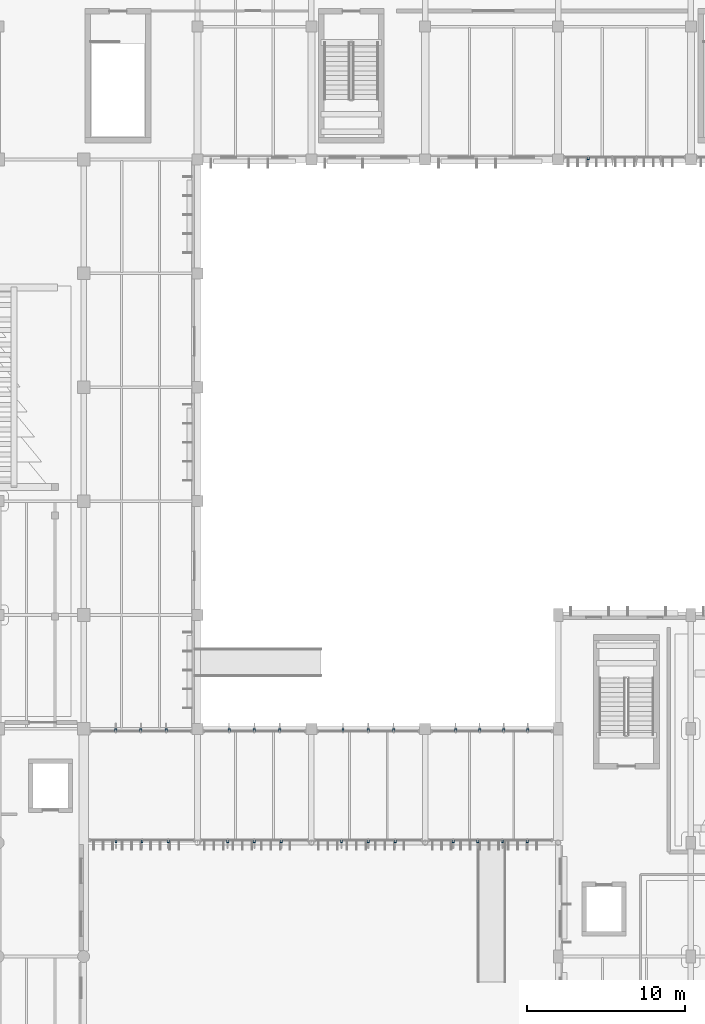
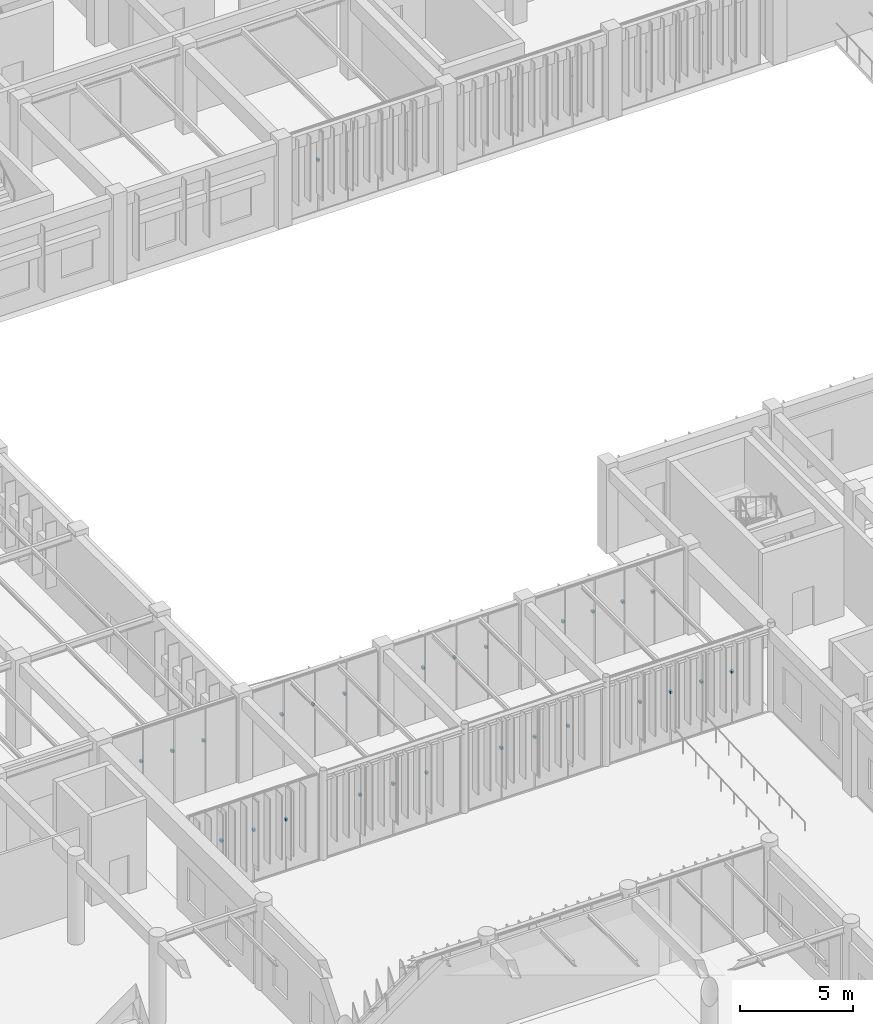
# One storey, part 49 of 122: 27 discrete accessories.
"""IFC4 building model written with IfcOpenShell, lengths in metres."""

from ifc_helpers import new_model, si_unit, direction, frame, origin, origin_2d, place, context, subcontext, project, spatial, rectangle, extrude, material, type_object, element, save


model = new_model("IFC4")

# Units and contexts
model_context = context("Model", 3, precision=1e-05, world=origin(), true_north=direction((0.0, 1.0)))
body_context = subcontext(model_context, "Body", "Model", "MODEL_VIEW")
ifc_project = project(units=[si_unit("LENGTHUNIT", "METRE"), si_unit("AREAUNIT", "SQUARE_METRE"), si_unit("VOLUMEUNIT", "CUBIC_METRE"), si_unit("PLANEANGLEUNIT", "RADIAN"), si_unit("MASSUNIT", "GRAM", prefix="KILO")], contexts=[model_context])

# Site, building, storey
site_placement = place(None, origin())
site = spatial("IfcSite", under=ifc_project, at=site_placement, CompositionType="ELEMENT")
building_placement = place(site_placement, origin())
building = spatial("IfcBuilding", under=site, at=building_placement, Name="Tazoul Stagehouse", CompositionType="ELEMENT")
storey_placement = place(building_placement, origin())
storey = spatial("IfcBuildingStorey", under=building, at=storey_placement, Name="L00", CompositionType="ELEMENT", Elevation=0.0)

# Discrete accessories
ifc_material = material(Name="Austenitic Stainless Steel EN 1.4401", Category="steel")
discrete_accessory_type = type_object("IfcDiscreteAccessoryType", Name="Stainless Steel Louvre Support Cleat Bracket", PredefinedType="BRACKET", material=ifc_material)
for number, where, z_axis, x_axis, name in (
    (1, (97.447021484375, 44.669921875, 2.66064453125), (0.0, 0.0, 1.0), (1.0, 0.0, 0.0), "Cleat Bracket BRK-01 CW-ELNK-S-L00-B1-BRK01"),
    (2, (99.093994140625, 44.669921875, 2.66064453125), (0.0, 0.0, 1.0), (1.0, 0.0, 0.0), "Cleat Bracket BRK-01 CW-ELNK-S-L00-B1-BRK02"),
    (3, (100.740966796875, 44.669921875, 2.66064453125), (0.0, 0.0, 1.0), (1.0, 0.0, 0.0), "Cleat Bracket BRK-01 CW-ELNK-S-L00-B1-BRK03"),
    (4, (104.505859375, 44.669921875, 2.66064453125), (0.0, 0.0, 1.0), (1.0, 0.0, 0.0), "Cleat Bracket BRK-01 CW-ELNK-S-L00-B2-BRK01"),
    (5, (106.199951171875, 44.669921875, 2.66064453125), (0.0, 0.0, 1.0), (1.0, 0.0, 0.0), "Cleat Bracket BRK-01 CW-ELNK-S-L00-B2-BRK02"),
    (6, (107.89404296875, 44.669921875, 2.66064453125), (0.0, 0.0, 1.0), (1.0, 0.0, 0.0), "Cleat Bracket BRK-01 CW-ELNK-S-L00-B2-BRK03"),
    (7, (111.705810546875, 44.669921875, 2.66064453125), (0.0, 0.0, 1.0), (1.0, 0.0, 0.0), "Cleat Bracket BRK-01 CW-ELNK-S-L00-B3-BRK01"),
    (8, (113.39990234375, 44.669921875, 2.66064453125), (0.0, 0.0, 1.0), (1.0, 0.0, 0.0), "Cleat Bracket BRK-01 CW-ELNK-S-L00-B3-BRK02"),
    (9, (115.093994140625, 44.669921875, 2.66064453125), (0.0, 0.0, 1.0), (1.0, 0.0, 0.0), "Cleat Bracket BRK-01 CW-ELNK-S-L00-B3-BRK03"),
    (10, (118.76953125, 44.669921875, 2.66064453125), (0.0, 0.0, 1.0), (1.0, 0.0, 0.0), "Cleat Bracket BRK-01 CW-ELNK-S-L00-B4-BRK01"),
    (11, (120.3271484375, 44.669921875, 2.66064453125), (0.0, 0.0, 1.0), (1.0, 0.0, 0.0), "Cleat Bracket BRK-01 CW-ELNK-S-L00-B4-BRK02"),
    (12, (121.884765625, 44.669921875, 2.66064453125), (0.0, 0.0, 1.0), (1.0, 0.0, 0.0), "Cleat Bracket BRK-01 CW-ELNK-S-L00-B4-BRK03"),
    (13, (123.4423828125, 44.669921875, 2.66064453125), (0.0, 0.0, 1.0), (1.0, 0.0, 0.0), "Cleat Bracket BRK-01 CW-ELNK-S-L00-B4-BRK04"),
    (14, (97.4375, 51.72998046875, 2.66064453125), (0.0, 0.0, 1.0), (1.0, 0.0, 0.0), "Cleat Bracket BRK-01 CW-ELNK-N-L00-B1-BRK01"),
    (15, (99.02490234375, 51.72998046875, 2.66064453125), (0.0, 0.0, 1.0), (1.0, 0.0, 0.0), "Cleat Bracket BRK-01 CW-ELNK-N-L00-B1-BRK02"),
    (16, (100.612548828125, 51.72998046875, 2.66064453125), (0.0, 0.0, 1.0), (1.0, 0.0, 0.0), "Cleat Bracket BRK-01 CW-ELNK-N-L00-B1-BRK03"),
    (17, (104.60009765625, 51.72998046875, 2.66064453125), (0.0, 0.0, 1.0), (1.0, 0.0, 0.0), "Cleat Bracket BRK-01 CW-ELNK-N-L00-B2-BRK01"),
    (18, (106.199951171875, 51.72998046875, 2.66064453125), (0.0, 0.0, 1.0), (1.0, 0.0, 0.0), "Cleat Bracket BRK-01 CW-ELNK-N-L00-B2-BRK02"),
    (19, (107.800048828125, 51.72998046875, 2.66064453125), (0.0, 0.0, 1.0), (1.0, 0.0, 0.0), "Cleat Bracket BRK-01 CW-ELNK-N-L00-B2-BRK03"),
    (20, (111.800048828125, 51.72998046875, 2.66064453125), (0.0, 0.0, 1.0), (1.0, 0.0, 0.0), "Cleat Bracket BRK-01 CW-ELNK-N-L00-B3-BRK01"),
    (21, (113.39990234375, 51.72998046875, 2.66064453125), (0.0, 0.0, 1.0), (1.0, 0.0, 0.0), "Cleat Bracket BRK-01 CW-ELNK-N-L00-B3-BRK02"),
    (22, (115.0, 51.72998046875, 2.66064453125), (0.0, 0.0, 1.0), (1.0, 0.0, 0.0), "Cleat Bracket BRK-01 CW-ELNK-N-L00-B3-BRK03"),
    (23, (118.919921875, 51.72998046875, 2.66064453125), (0.0, 0.0, 1.0), (1.0, 0.0, 0.0), "Cleat Bracket BRK-01 CW-ELNK-N-L00-B4-BRK01"),
    (24, (120.43994140625, 51.72998046875, 2.66064453125), (0.0, 0.0, 1.0), (1.0, 0.0, 0.0), "Cleat Bracket BRK-01 CW-ELNK-N-L00-B4-BRK02"),
    (25, (121.9599609375, 51.72998046875, 2.66064453125), (0.0, 0.0, 1.0), (1.0, 0.0, 0.0), "Cleat Bracket BRK-01 CW-ELNK-N-L00-B4-BRK03"),
    (26, (123.47998046875, 51.72998046875, 2.66064453125), (0.0, 0.0, 1.0), (1.0, 0.0, 0.0), "Cleat Bracket BRK-01 CW-ELNK-N-L00-B4-BRK04"),
    (27, (127.320068359375, 87.8701171875, 2.66064453125), (0.0, 0.0, 1.0), (1.0, 0.0, 0.0), "Cleat Bracket BRK-01 CW-V3-S2-L00-B1-BRK01"),
):
    element("IfcDiscreteAccessory", number, at=place(storey_placement, frame(where, z_axis=z_axis, x_axis=x_axis)), inside=storey, type_object=discrete_accessory_type, Name=name, PredefinedType="BRACKET", context=body_context, shape_type="SweptSolid", body=[
        extrude(rectangle(XDim=0.1201171875, YDim=0.159912109375, at=origin_2d()), origin(), (0.0, 0.0, 1.0), 0.1201171875),
    ])

save(model, "model.ifc")
